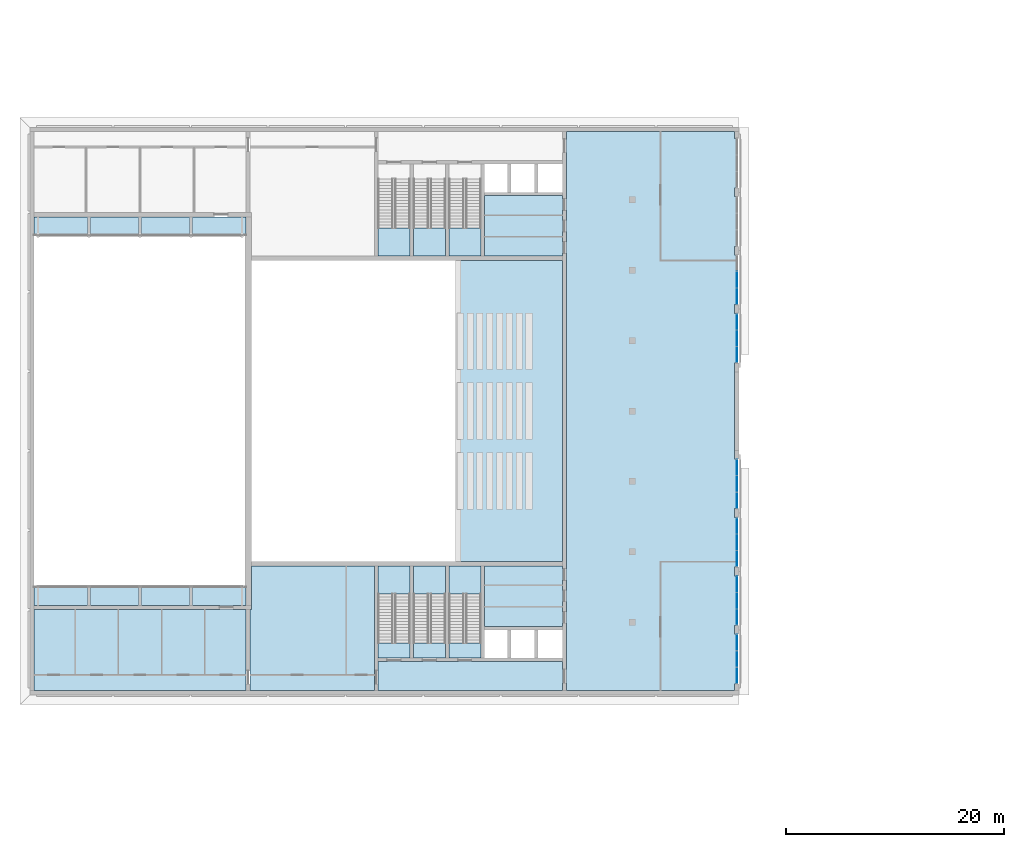
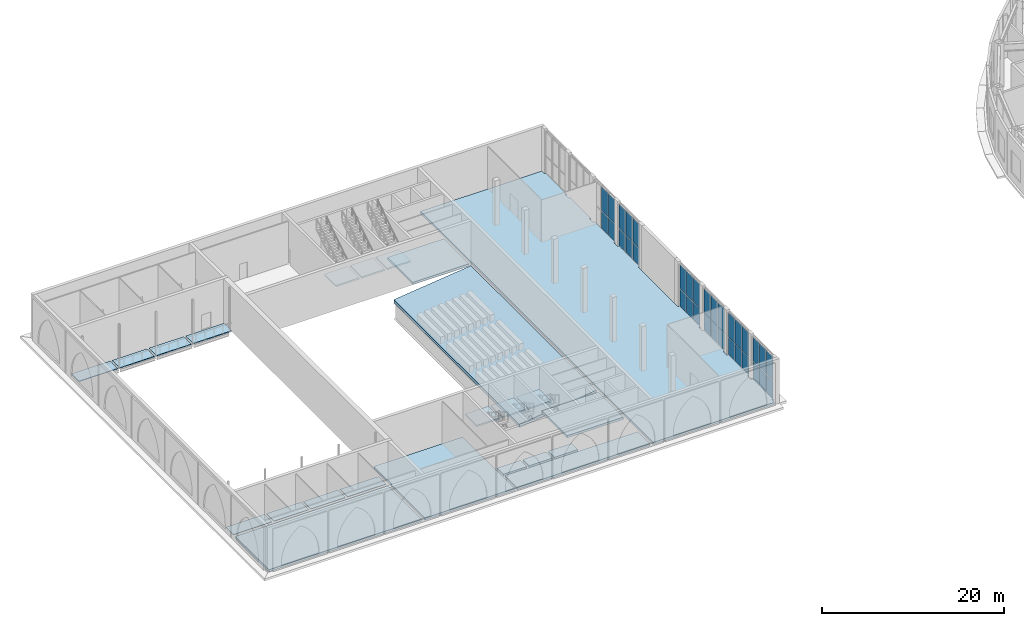
# One storey, part 14 of 74: 34 plates, 24 slabs, 12 elements without a shape of their own.
"""IFC4 building model written with IfcOpenShell, lengths in metres."""

from ifc_helpers import new_model, si_unit, direction, frame, origin, origin_2d, place, context, subcontext, project, spatial, polyline, rectangle, outline, extrude, material, layer, layer_set, type_object, element, aggregate, save


model = new_model("IFC4")

# Units and contexts
model_context = context("Model", 3, precision=1e-05, world=origin(), true_north=direction((0.0, 1.0)))
body_context = subcontext(model_context, "Body", "Model", "MODEL_VIEW")
ifc_project = project(units=[si_unit("LENGTHUNIT", "METRE"), si_unit("AREAUNIT", "SQUARE_METRE"), si_unit("VOLUMEUNIT", "CUBIC_METRE"), si_unit("PLANEANGLEUNIT", "RADIAN"), si_unit("MASSUNIT", "GRAM", prefix="KILO")], contexts=[model_context])

# Site, building, storey
site_placement = place(None, origin())
site = spatial("IfcSite", under=ifc_project, at=site_placement, CompositionType="ELEMENT")
building_placement = place(site_placement, origin())
building = spatial("IfcBuilding", under=site, at=building_placement, Name="Noorbagh Ring Tower", CompositionType="ELEMENT")
storey_placement = place(building_placement, frame((0.0, 0.0, 7.5)))
storey = spatial("IfcBuildingStorey", under=building, at=storey_placement, Name="L01", CompositionType="ELEMENT", Elevation=7.5)

# Curtain wall, plates
ifc_material_1 = material(Name="Aluminium and glass", Category="aluminium")
ifc_layer_1 = layer(ifc_material_1, 0.199951171875)
ifc_layer_set_1 = layer_set([ifc_layer_1], Name="Aluminium and glass")
curtain_wall_type = type_object("IfcCurtainWallType", Name="TH-CW", PredefinedType="NOTDEFINED", material=ifc_layer_set_1)
curtain_wall_1_placement = place(storey_placement, origin())
curtain_wall_1 = element("IfcCurtainWall", 1, at=curtain_wall_1_placement, inside=storey, type_object=curtain_wall_type, Name="Foyer glazing", PredefinedType="NOTDEFINED")
ifc_material_2 = material(Name="Clear laminated glass", Category="glass")
ifc_layer_2 = layer(ifc_material_2, 0.028076171875)
ifc_layer_set_2 = layer_set([ifc_layer_2], Name="Clear laminated glass")
plate_type = type_object("IfcPlateType", Name="TH-CW-PANEL", PredefinedType="CURTAIN_PANEL", material=ifc_layer_set_2)
plate_1_placement = place(storey_placement, frame((-95.199951171875, -19.2265625, 0.06005859375), z_axis=(0.0, 0.0, 1.0), x_axis=(0.0, 1.0, 0.0)))
plate_1 = element("IfcPlate", 2, at=plate_1_placement, type_object=plate_type, Name="CW-T panel 1.1", PredefinedType="CURTAIN_PANEL", context=body_context, shape_type="SweptSolid", body=[
    extrude(rectangle(XDim=1.4267578125, YDim=0.028076171875, at=origin_2d()), origin(), (0.0, 0.0, 1.0), 2.31005859375),
])
plate_2_placement = place(storey_placement, frame((-95.199951171875, -19.2265625, 2.429931640625), z_axis=(0.0, 0.0, 1.0), x_axis=(0.0, 1.0, 0.0)))
plate_2 = element("IfcPlate", 3, at=plate_2_placement, type_object=plate_type, Name="CW-T panel 1.2", PredefinedType="CURTAIN_PANEL", context=body_context, shape_type="SweptSolid", body=[
    extrude(rectangle(XDim=1.4267578125, YDim=0.028076171875, at=origin_2d()), origin(), (0.0, 0.0, 1.0), 3.2099609375),
])
plate_3_placement = place(storey_placement, frame((-95.199951171875, -17.72509765625, 0.06005859375), z_axis=(0.0, 0.0, 1.0), x_axis=(0.0, 1.0, 0.0)))
plate_3 = element("IfcPlate", 4, at=plate_3_placement, type_object=plate_type, Name="CW-T panel 2.1", PredefinedType="CURTAIN_PANEL", context=body_context, shape_type="SweptSolid", body=[
    extrude(rectangle(XDim=1.456787109375, YDim=0.028076171875, at=origin_2d()), origin(), (0.0, 0.0, 1.0), 2.31005859375),
])
plate_4_placement = place(storey_placement, frame((-95.199951171875, -17.72509765625, 2.429931640625), z_axis=(0.0, 0.0, 1.0), x_axis=(0.0, 1.0, 0.0)))
plate_4 = element("IfcPlate", 5, at=plate_4_placement, type_object=plate_type, Name="CW-T panel 2.2", PredefinedType="CURTAIN_PANEL", context=body_context, shape_type="SweptSolid", body=[
    extrude(rectangle(XDim=1.456787109375, YDim=0.028076171875, at=origin_2d()), origin(), (0.0, 0.0, 1.0), 3.2099609375),
])
plate_5_placement = place(storey_placement, frame((-95.199951171875, -16.223388671875, 0.06005859375), z_axis=(0.0, 0.0, 1.0), x_axis=(0.0, 1.0, 0.0)))
plate_5 = element("IfcPlate", 6, at=plate_5_placement, type_object=plate_type, Name="CW-T panel 3.1", PredefinedType="CURTAIN_PANEL", context=body_context, shape_type="SweptSolid", body=[
    extrude(rectangle(XDim=1.4267578125, YDim=0.028076171875, at=origin_2d()), origin(), (0.0, 0.0, 1.0), 2.31005859375),
])
plate_6_placement = place(storey_placement, frame((-95.199951171875, -16.223388671875, 2.429931640625), z_axis=(0.0, 0.0, 1.0), x_axis=(0.0, 1.0, 0.0)))
plate_6 = element("IfcPlate", 7, at=plate_6_placement, type_object=plate_type, Name="CW-T panel 3.2", PredefinedType="CURTAIN_PANEL", context=body_context, shape_type="SweptSolid", body=[
    extrude(rectangle(XDim=1.4267578125, YDim=0.028076171875, at=origin_2d()), origin(), (0.0, 0.0, 1.0), 3.2099609375),
])
aggregate(curtain_wall_1, [plate_1, plate_2, plate_3, plate_4, plate_5, plate_6])

curtain_wall_2_placement = place(storey_placement, origin())
curtain_wall_2 = element("IfcCurtainWall", 8, at=curtain_wall_2_placement, inside=storey, type_object=curtain_wall_type, Name="Foyer glazing", PredefinedType="NOTDEFINED")
plate_7_placement = place(storey_placement, frame((-95.199951171875, -13.876708984375, 0.06005859375), z_axis=(0.0, 0.0, 1.0), x_axis=(0.0, 1.0, 0.0)))
plate_7 = element("IfcPlate", 9, at=plate_7_placement, type_object=plate_type, Name="CW-T panel 1.1", PredefinedType="CURTAIN_PANEL", context=body_context, shape_type="SweptSolid", body=[
    extrude(rectangle(XDim=1.4267578125, YDim=0.028076171875, at=origin_2d()), origin(), (0.0, 0.0, 1.0), 2.31005859375),
])
plate_8_placement = place(storey_placement, frame((-95.199951171875, -13.876708984375, 2.429931640625), z_axis=(0.0, 0.0, 1.0), x_axis=(0.0, 1.0, 0.0)))
plate_8 = element("IfcPlate", 10, at=plate_8_placement, type_object=plate_type, Name="CW-T panel 1.2", PredefinedType="CURTAIN_PANEL", context=body_context, shape_type="SweptSolid", body=[
    extrude(rectangle(XDim=1.4267578125, YDim=0.028076171875, at=origin_2d()), origin(), (0.0, 0.0, 1.0), 3.2099609375),
])
plate_9_placement = place(storey_placement, frame((-95.199951171875, -12.375, 0.06005859375), z_axis=(0.0, 0.0, 1.0), x_axis=(0.0, 1.0, 0.0)))
plate_9 = element("IfcPlate", 11, at=plate_9_placement, type_object=plate_type, Name="CW-T panel 2.1", PredefinedType="CURTAIN_PANEL", context=body_context, shape_type="SweptSolid", body=[
    extrude(rectangle(XDim=1.456787109375, YDim=0.028076171875, at=origin_2d()), origin(), (0.0, 0.0, 1.0), 2.31005859375),
])
plate_10_placement = place(storey_placement, frame((-95.199951171875, -12.375, 2.429931640625), z_axis=(0.0, 0.0, 1.0), x_axis=(0.0, 1.0, 0.0)))
plate_10 = element("IfcPlate", 12, at=plate_10_placement, type_object=plate_type, Name="CW-T panel 2.2", PredefinedType="CURTAIN_PANEL", context=body_context, shape_type="SweptSolid", body=[
    extrude(rectangle(XDim=1.456787109375, YDim=0.028076171875, at=origin_2d()), origin(), (0.0, 0.0, 1.0), 3.2099609375),
])
plate_11_placement = place(storey_placement, frame((-95.199951171875, -10.873291015625, 0.06005859375), z_axis=(0.0, 0.0, 1.0), x_axis=(0.0, 1.0, 0.0)))
plate_11 = element("IfcPlate", 13, at=plate_11_placement, type_object=plate_type, Name="CW-T panel 3.1", PredefinedType="CURTAIN_PANEL", context=body_context, shape_type="SweptSolid", body=[
    extrude(rectangle(XDim=1.4267578125, YDim=0.028076171875, at=origin_2d()), origin(), (0.0, 0.0, 1.0), 2.31005859375),
])
plate_12_placement = place(storey_placement, frame((-95.199951171875, -10.873291015625, 2.429931640625), z_axis=(0.0, 0.0, 1.0), x_axis=(0.0, 1.0, 0.0)))
plate_12 = element("IfcPlate", 14, at=plate_12_placement, type_object=plate_type, Name="CW-T panel 3.2", PredefinedType="CURTAIN_PANEL", context=body_context, shape_type="SweptSolid", body=[
    extrude(rectangle(XDim=1.4267578125, YDim=0.028076171875, at=origin_2d()), origin(), (0.0, 0.0, 1.0), 3.2099609375),
])
aggregate(curtain_wall_2, [plate_7, plate_8, plate_9, plate_10, plate_11, plate_12])

curtain_wall_3_placement = place(storey_placement, origin())
curtain_wall_3 = element("IfcCurtainWall", 15, at=curtain_wall_3_placement, inside=storey, type_object=curtain_wall_type, Name="Foyer glazing", PredefinedType="NOTDEFINED")
plate_13_placement = place(storey_placement, frame((-95.199951171875, -8.526611328125, 0.06005859375), z_axis=(0.0, 0.0, 1.0), x_axis=(0.0, 1.0, 0.0)))
plate_13 = element("IfcPlate", 16, at=plate_13_placement, type_object=plate_type, Name="CW-T panel 1.1", PredefinedType="CURTAIN_PANEL", context=body_context, shape_type="SweptSolid", body=[
    extrude(rectangle(XDim=1.4267578125, YDim=0.028076171875, at=origin_2d()), origin(), (0.0, 0.0, 1.0), 2.31005859375),
])
plate_14_placement = place(storey_placement, frame((-95.199951171875, -8.526611328125, 2.429931640625), z_axis=(0.0, 0.0, 1.0), x_axis=(0.0, 1.0, 0.0)))
plate_14 = element("IfcPlate", 17, at=plate_14_placement, type_object=plate_type, Name="CW-T panel 1.2", PredefinedType="CURTAIN_PANEL", context=body_context, shape_type="SweptSolid", body=[
    extrude(rectangle(XDim=1.4267578125, YDim=0.028076171875, at=origin_2d()), origin(), (0.0, 0.0, 1.0), 3.2099609375),
])
plate_15_placement = place(storey_placement, frame((-95.199951171875, -7.02490234375, 0.06005859375), z_axis=(0.0, 0.0, 1.0), x_axis=(0.0, 1.0, 0.0)))
plate_15 = element("IfcPlate", 18, at=plate_15_placement, type_object=plate_type, Name="CW-T panel 2.1", PredefinedType="CURTAIN_PANEL", context=body_context, shape_type="SweptSolid", body=[
    extrude(rectangle(XDim=1.456787109375, YDim=0.028076171875, at=origin_2d()), origin(), (0.0, 0.0, 1.0), 2.31005859375),
])
plate_16_placement = place(storey_placement, frame((-95.199951171875, -7.02490234375, 2.429931640625), z_axis=(0.0, 0.0, 1.0), x_axis=(0.0, 1.0, 0.0)))
plate_16 = element("IfcPlate", 19, at=plate_16_placement, type_object=plate_type, Name="CW-T panel 2.2", PredefinedType="CURTAIN_PANEL", context=body_context, shape_type="SweptSolid", body=[
    extrude(rectangle(XDim=1.456787109375, YDim=0.028076171875, at=origin_2d()), origin(), (0.0, 0.0, 1.0), 3.2099609375),
])
plate_17_placement = place(storey_placement, frame((-95.199951171875, -5.5234375, 0.06005859375), z_axis=(0.0, 0.0, 1.0), x_axis=(0.0, 1.0, 0.0)))
plate_17 = element("IfcPlate", 20, at=plate_17_placement, type_object=plate_type, Name="CW-T panel 3.1", PredefinedType="CURTAIN_PANEL", context=body_context, shape_type="SweptSolid", body=[
    extrude(rectangle(XDim=1.4267578125, YDim=0.028076171875, at=origin_2d()), origin(), (0.0, 0.0, 1.0), 2.31005859375),
])
plate_18_placement = place(storey_placement, frame((-95.199951171875, -5.5234375, 2.429931640625), z_axis=(0.0, 0.0, 1.0), x_axis=(0.0, 1.0, 0.0)))
plate_18 = element("IfcPlate", 21, at=plate_18_placement, type_object=plate_type, Name="CW-T panel 3.2", PredefinedType="CURTAIN_PANEL", context=body_context, shape_type="SweptSolid", body=[
    extrude(rectangle(XDim=1.4267578125, YDim=0.028076171875, at=origin_2d()), origin(), (0.0, 0.0, 1.0), 3.2099609375),
])
aggregate(curtain_wall_3, [plate_13, plate_14, plate_15, plate_16, plate_17, plate_18])

curtain_wall_4_placement = place(storey_placement, origin())
curtain_wall_4 = element("IfcCurtainWall", 22, at=curtain_wall_4_placement, inside=storey, type_object=curtain_wall_type, Name="Foyer glazing", PredefinedType="NOTDEFINED")
plate_19_placement = place(storey_placement, frame((-95.199951171875, -3.1767578125, 0.06005859375), z_axis=(0.0, 0.0, 1.0), x_axis=(0.0, 1.0, 0.0)))
plate_19 = element("IfcPlate", 23, at=plate_19_placement, type_object=plate_type, Name="CW-T panel 1.1", PredefinedType="CURTAIN_PANEL", context=body_context, shape_type="SweptSolid", body=[
    extrude(rectangle(XDim=1.4267578125, YDim=0.028076171875, at=origin_2d()), origin(), (0.0, 0.0, 1.0), 2.31005859375),
])
plate_20_placement = place(storey_placement, frame((-95.199951171875, -3.1767578125, 2.429931640625), z_axis=(0.0, 0.0, 1.0), x_axis=(0.0, 1.0, 0.0)))
plate_20 = element("IfcPlate", 24, at=plate_20_placement, type_object=plate_type, Name="CW-T panel 1.2", PredefinedType="CURTAIN_PANEL", context=body_context, shape_type="SweptSolid", body=[
    extrude(rectangle(XDim=1.4267578125, YDim=0.028076171875, at=origin_2d()), origin(), (0.0, 0.0, 1.0), 3.2099609375),
])
plate_21_placement = place(storey_placement, frame((-95.199951171875, -1.675048828125, 0.06005859375), z_axis=(0.0, 0.0, 1.0), x_axis=(0.0, 1.0, 0.0)))
plate_21 = element("IfcPlate", 25, at=plate_21_placement, type_object=plate_type, Name="CW-T panel 2.1", PredefinedType="CURTAIN_PANEL", context=body_context, shape_type="SweptSolid", body=[
    extrude(rectangle(XDim=1.456787109375, YDim=0.028076171875, at=origin_2d()), origin(), (0.0, 0.0, 1.0), 2.31005859375),
])
plate_22_placement = place(storey_placement, frame((-95.199951171875, -1.675048828125, 2.429931640625), z_axis=(0.0, 0.0, 1.0), x_axis=(0.0, 1.0, 0.0)))
plate_22 = element("IfcPlate", 26, at=plate_22_placement, type_object=plate_type, Name="CW-T panel 2.2", PredefinedType="CURTAIN_PANEL", context=body_context, shape_type="SweptSolid", body=[
    extrude(rectangle(XDim=1.456787109375, YDim=0.028076171875, at=origin_2d()), origin(), (0.0, 0.0, 1.0), 3.2099609375),
])
plate_23_placement = place(storey_placement, frame((-95.199951171875, -0.17333984375, 0.06005859375), z_axis=(0.0, 0.0, 1.0), x_axis=(0.0, 1.0, 0.0)))
plate_23 = element("IfcPlate", 27, at=plate_23_placement, type_object=plate_type, Name="CW-T panel 3.1", PredefinedType="CURTAIN_PANEL", context=body_context, shape_type="SweptSolid", body=[
    extrude(rectangle(XDim=1.4267578125, YDim=0.028076171875, at=origin_2d()), origin(), (0.0, 0.0, 1.0), 2.31005859375),
])
plate_24_placement = place(storey_placement, frame((-95.199951171875, -0.17333984375, 2.429931640625), z_axis=(0.0, 0.0, 1.0), x_axis=(0.0, 1.0, 0.0)))
plate_24 = element("IfcPlate", 28, at=plate_24_placement, type_object=plate_type, Name="CW-T panel 3.2", PredefinedType="CURTAIN_PANEL", context=body_context, shape_type="SweptSolid", body=[
    extrude(rectangle(XDim=1.4267578125, YDim=0.028076171875, at=origin_2d()), origin(), (0.0, 0.0, 1.0), 3.2099609375),
])
aggregate(curtain_wall_4, [plate_19, plate_20, plate_21, plate_22, plate_23, plate_24])

curtain_wall_5_placement = place(storey_placement, origin())
curtain_wall_5 = element("IfcCurtainWall", 29, at=curtain_wall_5_placement, inside=storey, type_object=curtain_wall_type, Name="Foyer glazing", PredefinedType="NOTDEFINED")
plate_25_placement = place(storey_placement, frame((-95.199951171875, 10.17333984375, 0.06005859375), z_axis=(0.0, 0.0, 1.0), x_axis=(0.0, 1.0, 0.0)))
plate_25 = element("IfcPlate", 30, at=plate_25_placement, type_object=plate_type, Name="CW-T panel 1.1", PredefinedType="CURTAIN_PANEL", context=body_context, shape_type="SweptSolid", body=[
    extrude(rectangle(XDim=1.4267578125, YDim=0.028076171875, at=origin_2d()), origin(), (0.0, 0.0, 1.0), 2.31005859375),
])
plate_26_placement = place(storey_placement, frame((-95.199951171875, 10.17333984375, 2.429931640625), z_axis=(0.0, 0.0, 1.0), x_axis=(0.0, 1.0, 0.0)))
plate_26 = element("IfcPlate", 31, at=plate_26_placement, type_object=plate_type, Name="CW-T panel 1.2", PredefinedType="CURTAIN_PANEL", context=body_context, shape_type="SweptSolid", body=[
    extrude(rectangle(XDim=1.4267578125, YDim=0.028076171875, at=origin_2d()), origin(), (0.0, 0.0, 1.0), 3.2099609375),
])
plate_27_placement = place(storey_placement, frame((-95.199951171875, 11.675048828125, 0.06005859375), z_axis=(0.0, 0.0, 1.0), x_axis=(0.0, 1.0, 0.0)))
plate_27 = element("IfcPlate", 32, at=plate_27_placement, type_object=plate_type, Name="CW-T panel 2.1", PredefinedType="CURTAIN_PANEL", context=body_context, shape_type="SweptSolid", body=[
    extrude(rectangle(XDim=1.456787109375, YDim=0.028076171875, at=origin_2d()), origin(), (0.0, 0.0, 1.0), 2.31005859375),
])
plate_28_placement = place(storey_placement, frame((-95.199951171875, 11.675048828125, 2.429931640625), z_axis=(0.0, 0.0, 1.0), x_axis=(0.0, 1.0, 0.0)))
plate_28 = element("IfcPlate", 33, at=plate_28_placement, type_object=plate_type, Name="CW-T panel 2.2", PredefinedType="CURTAIN_PANEL", context=body_context, shape_type="SweptSolid", body=[
    extrude(rectangle(XDim=1.456787109375, YDim=0.028076171875, at=origin_2d()), origin(), (0.0, 0.0, 1.0), 3.2099609375),
])
plate_29_placement = place(storey_placement, frame((-95.199951171875, 13.1767578125, 0.06005859375), z_axis=(0.0, 0.0, 1.0), x_axis=(0.0, 1.0, 0.0)))
plate_29 = element("IfcPlate", 34, at=plate_29_placement, type_object=plate_type, Name="CW-T panel 3.1", PredefinedType="CURTAIN_PANEL", context=body_context, shape_type="SweptSolid", body=[
    extrude(rectangle(XDim=1.4267578125, YDim=0.028076171875, at=origin_2d()), origin(), (0.0, 0.0, 1.0), 2.31005859375),
])
plate_30_placement = place(storey_placement, frame((-95.199951171875, 13.1767578125, 2.429931640625), z_axis=(0.0, 0.0, 1.0), x_axis=(0.0, 1.0, 0.0)))
plate_30 = element("IfcPlate", 35, at=plate_30_placement, type_object=plate_type, Name="CW-T panel 3.2", PredefinedType="CURTAIN_PANEL", context=body_context, shape_type="SweptSolid", body=[
    extrude(rectangle(XDim=1.4267578125, YDim=0.028076171875, at=origin_2d()), origin(), (0.0, 0.0, 1.0), 3.2099609375),
])
aggregate(curtain_wall_5, [plate_25, plate_26, plate_27, plate_28, plate_29, plate_30])

curtain_wall_6_placement = place(storey_placement, origin())
curtain_wall_6 = element("IfcCurtainWall", 36, at=curtain_wall_6_placement, inside=storey, type_object=curtain_wall_type, Name="Foyer glazing", PredefinedType="NOTDEFINED")
plate_31_placement = place(storey_placement, frame((-95.199951171875, 15.5234375, 0.06005859375), z_axis=(0.0, 0.0, 1.0), x_axis=(0.0, 1.0, 0.0)))
plate_31 = element("IfcPlate", 37, at=plate_31_placement, type_object=plate_type, Name="CW-T panel 1.1", PredefinedType="CURTAIN_PANEL", context=body_context, shape_type="SweptSolid", body=[
    extrude(rectangle(XDim=1.4267578125, YDim=0.028076171875, at=origin_2d()), origin(), (0.0, 0.0, 1.0), 2.31005859375),
])
plate_32_placement = place(storey_placement, frame((-95.199951171875, 15.5234375, 2.429931640625), z_axis=(0.0, 0.0, 1.0), x_axis=(0.0, 1.0, 0.0)))
plate_32 = element("IfcPlate", 38, at=plate_32_placement, type_object=plate_type, Name="CW-T panel 1.2", PredefinedType="CURTAIN_PANEL", context=body_context, shape_type="SweptSolid", body=[
    extrude(rectangle(XDim=1.4267578125, YDim=0.028076171875, at=origin_2d()), origin(), (0.0, 0.0, 1.0), 3.2099609375),
])
plate_33_placement = place(storey_placement, frame((-95.199951171875, 17.02490234375, 0.06005859375), z_axis=(0.0, 0.0, 1.0), x_axis=(0.0, 1.0, 0.0)))
plate_33 = element("IfcPlate", 39, at=plate_33_placement, type_object=plate_type, Name="CW-T panel 2.1", PredefinedType="CURTAIN_PANEL", context=body_context, shape_type="SweptSolid", body=[
    extrude(rectangle(XDim=1.456787109375, YDim=0.028076171875, at=origin_2d()), origin(), (0.0, 0.0, 1.0), 2.31005859375),
])
plate_34_placement = place(storey_placement, frame((-95.199951171875, 17.02490234375, 2.429931640625), z_axis=(0.0, 0.0, 1.0), x_axis=(0.0, 1.0, 0.0)))
plate_34 = element("IfcPlate", 40, at=plate_34_placement, type_object=plate_type, Name="CW-T panel 2.2", PredefinedType="CURTAIN_PANEL", context=body_context, shape_type="SweptSolid", body=[
    extrude(rectangle(XDim=1.456787109375, YDim=0.028076171875, at=origin_2d()), origin(), (0.0, 0.0, 1.0), 3.2099609375),
])
aggregate(curtain_wall_6, [plate_31, plate_32, plate_33, plate_34])

# Slabs
ifc_material_3 = material(Name="Concrete C40/50", Category="concrete")
ifc_layer_3 = layer(ifc_material_3, 0.300048828125)
ifc_layer_set_3 = layer_set([ifc_layer_3], Name="Concrete C40/50")
slab_type_1 = type_object("IfcSlabType", Name="TH-SLAB-FLOOR", PredefinedType="FLOOR", material=ifc_layer_set_3)
slab_1_placement = place(storey_placement, frame((0.0, 0.0, -0.300048828125)))
element("IfcSlab", 41, at=slab_1_placement, inside=storey, type_object=slab_type_1, Name="Floor slab", PredefinedType="FLOOR", context=body_context, shape_type="SweptSolid", body=[
    extrude(outline(polyline([(-140.199951171875, -20.60009765625), (-140.199951171875, -13.199951171875), (-159.60009765625, -13.199951171875), (-159.60009765625, -20.60009765625), (-140.199951171875, -20.60009765625)])), origin(), (0.0, 0.0, 1.0), 0.300048828125),
])
slab_2_placement = place(storey_placement, frame((0.0, 0.0, -0.300048828125)))
element("IfcSlab", 42, at=slab_2_placement, inside=storey, type_object=slab_type_1, Name="Floor slab", PredefinedType="FLOOR", context=body_context, shape_type="SweptSolid", body=[
    extrude(outline(polyline([(-128.39990234375, -20.60009765625), (-128.39990234375, -9.199951171875), (-139.699951171875, -9.199951171875), (-139.699951171875, -12.800048828125), (-139.699951171875, -13.199951171875), (-139.800048828125, -13.199951171875), (-139.800048828125, -20.60009765625), (-128.39990234375, -20.60009765625)])), origin(), (0.0, 0.0, 1.0), 0.300048828125),
])
slab_3_placement = place(storey_placement, frame((0.0, 0.0, -0.300048828125)))
element("IfcSlab", 43, at=slab_3_placement, inside=storey, type_object=slab_type_1, Name="Floor slab", PredefinedType="FLOOR", context=body_context, shape_type="SweptSolid", body=[
    extrude(outline(polyline([(-125.14990234375, -17.64990234375), (-125.14990234375, -16.24951171875), (-128.10009765625, -16.24951171875), (-128.10009765625, -17.64990234375), (-125.14990234375, -17.64990234375)])), origin(), (0.0, 0.0, 1.0), 0.300048828125),
])
slab_4_placement = place(storey_placement, frame((0.0, 0.0, -0.300048828125)))
element("IfcSlab", 44, at=slab_4_placement, inside=storey, type_object=slab_type_1, Name="Floor slab", PredefinedType="FLOOR", context=body_context, shape_type="SweptSolid", body=[
    extrude(outline(polyline([(-121.89990234375, -17.64990234375), (-121.89990234375, -16.24951171875), (-124.85009765625, -16.24951171875), (-124.85009765625, -17.64990234375), (-121.89990234375, -17.64990234375)])), origin(), (0.0, 0.0, 1.0), 0.300048828125),
])
slab_5_placement = place(storey_placement, frame((0.0, 0.0, -0.300048828125)))
element("IfcSlab", 45, at=slab_5_placement, inside=storey, type_object=slab_type_1, Name="Floor slab", PredefinedType="FLOOR", context=body_context, shape_type="SweptSolid", body=[
    extrude(outline(polyline([(-118.64990234375, -16.24951171875), (-121.60009765625, -16.24951171875), (-121.60009765625, -17.64990234375), (-118.64990234375, -17.64990234375), (-118.64990234375, -16.24951171875)])), origin(), (0.0, 0.0, 1.0), 0.300048828125),
])
slab_6_placement = place(storey_placement, frame((0.0, 0.0, -0.300048828125)))
element("IfcSlab", 46, at=slab_6_placement, inside=storey, type_object=slab_type_1, Name="Floor slab", PredefinedType="FLOOR", context=body_context, shape_type="SweptSolid", body=[
    extrude(outline(polyline([(-111.199951171875, -20.60009765625), (-111.199951171875, -17.949951171875), (-128.10009765625, -17.949951171875), (-128.10009765625, -20.60009765625), (-111.199951171875, -20.60009765625)])), origin(), (0.0, 0.0, 1.0), 0.300048828125),
])
slab_7_placement = place(storey_placement, frame((0.0, 0.0, -0.300048828125)))
element("IfcSlab", 47, at=slab_7_placement, inside=storey, type_object=slab_type_1, Name="Floor slab", PredefinedType="FLOOR", context=body_context, shape_type="SweptSolid", body=[
    extrude(outline(polyline([(-111.199951171875, -14.75), (-111.199951171875, -9.199951171875), (-118.35009765625, -9.199951171875), (-118.35009765625, -14.75), (-111.199951171875, -14.75)])), origin(), (0.0, 0.0, 1.0), 0.300048828125),
])
slab_8_placement = place(storey_placement, frame((0.0, 0.0, -0.300048828125)))
element("IfcSlab", 48, at=slab_8_placement, inside=storey, type_object=slab_type_1, Name="Floor slab", PredefinedType="FLOOR", context=body_context, shape_type="SweptSolid", body=[
    extrude(outline(polyline([(-118.35009765625, 24.75), (-118.35009765625, 19.199951171875), (-111.199951171875, 19.199951171875), (-111.199951171875, 24.75), (-118.35009765625, 24.75)])), origin(), (0.0, 0.0, 1.0), 0.300048828125),
])
slab_9_placement = place(storey_placement, frame((0.0, 0.0, -0.300048828125)))
element("IfcSlab", 49, at=slab_9_placement, inside=storey, type_object=slab_type_1, Name="Floor slab", PredefinedType="FLOOR", context=body_context, shape_type="SweptSolid", body=[
    extrude(outline(polyline([(-95.39990234375, 20.10009765625), (-95.199951171875, 20.10009765625), (-95.199951171875, 24.64990234375), (-95.39990234375, 24.64990234375), (-95.39990234375, 25.449951171875), (-95.199951171875, 25.449951171875), (-95.199951171875, 30.0), (-95.39990234375, 30.0), (-95.39990234375, 30.60009765625), (-110.800048828125, 30.60009765625), (-110.800048828125, -20.60009765625), (-95.39990234375, -20.60009765625), (-95.39990234375, -20.0), (-95.199951171875, -20.0), (-95.199951171875, -15.449951171875), (-95.39990234375, -15.449951171875), (-95.39990234375, -14.64990234375), (-95.199951171875, -14.64990234375), (-95.199951171875, -10.10009765625), (-95.39990234375, -10.10009765625), (-95.39990234375, -9.300048828125), (-95.199951171875, -9.300048828125), (-95.199951171875, -4.75), (-95.39990234375, -4.75), (-95.39990234375, -3.949951171875), (-95.199951171875, -3.949951171875), (-95.199951171875, 0.60009765625), (-95.39990234375, 0.60009765625), (-95.39990234375, 1.39990234375), (-95.39990234375, 8.60009765625), (-95.39990234375, 9.39990234375), (-95.199951171875, 9.39990234375), (-95.199951171875, 13.949951171875), (-95.39990234375, 13.949951171875), (-95.39990234375, 14.75), (-95.199951171875, 14.75), (-95.199951171875, 19.300048828125), (-95.39990234375, 19.300048828125), (-95.39990234375, 20.10009765625)])), origin(), (0.0, 0.0, 1.0), 0.300048828125),
])
ifc_material_4 = material(Name="Galvanised steel grating S355", Category="steel")
ifc_layer_4 = layer(ifc_material_4, 0.080078125)
ifc_layer_set_4 = layer_set([ifc_layer_4], Name="Galvanised steel grating S355")
slab_type_2 = type_object("IfcSlabType", Name="TH-SLAB-GALLERY", PredefinedType="FLOOR", material=ifc_layer_set_4)
slab_10_placement = place(storey_placement, frame((0.0, 0.0, -0.080078125)))
element("IfcSlab", 50, at=slab_10_placement, inside=storey, type_object=slab_type_2, Name="Fly gallery plate S1", PredefinedType="FLOOR", context=body_context, shape_type="SweptSolid", body=[
    extrude(outline(polyline([(-159.60009765625, -12.800048828125), (-154.695068359375, -12.800048828125), (-154.695068359375, -11.139892578125), (-159.60009765625, -11.139892578125), (-159.60009765625, -12.800048828125)])), origin(), (0.0, 0.0, 1.0), 0.080078125),
])
slab_11_placement = place(storey_placement, frame((0.0, 0.0, -0.080078125)))
element("IfcSlab", 51, at=slab_11_placement, inside=storey, type_object=slab_type_2, Name="Fly gallery plate S2", PredefinedType="FLOOR", context=body_context, shape_type="SweptSolid", body=[
    extrude(outline(polyline([(-154.455078125, -12.800048828125), (-150.02001953125, -12.800048828125), (-150.02001953125, -11.139892578125), (-154.455078125, -11.139892578125), (-154.455078125, -12.800048828125)])), origin(), (0.0, 0.0, 1.0), 0.080078125),
])
slab_12_placement = place(storey_placement, frame((0.0, 0.0, -0.080078125)))
element("IfcSlab", 52, at=slab_12_placement, inside=storey, type_object=slab_type_2, Name="Fly gallery plate S3", PredefinedType="FLOOR", context=body_context, shape_type="SweptSolid", body=[
    extrude(outline(polyline([(-149.780029296875, -12.800048828125), (-145.344970703125, -12.800048828125), (-145.344970703125, -11.139892578125), (-149.780029296875, -11.139892578125), (-149.780029296875, -12.800048828125)])), origin(), (0.0, 0.0, 1.0), 0.080078125),
])
slab_13_placement = place(storey_placement, frame((0.0, 0.0, -0.080078125)))
element("IfcSlab", 53, at=slab_13_placement, inside=storey, type_object=slab_type_2, Name="Fly gallery plate S4", PredefinedType="FLOOR", context=body_context, shape_type="SweptSolid", body=[
    extrude(outline(polyline([(-145.10498046875, -12.800048828125), (-140.199951171875, -12.800048828125), (-140.199951171875, -11.139892578125), (-145.10498046875, -11.139892578125), (-145.10498046875, -12.800048828125)])), origin(), (0.0, 0.0, 1.0), 0.080078125),
])
slab_14_placement = place(storey_placement, frame((0.0, 0.0, -0.080078125)))
element("IfcSlab", 54, at=slab_14_placement, inside=storey, type_object=slab_type_2, Name="Fly gallery plate N1", PredefinedType="FLOOR", context=body_context, shape_type="SweptSolid", body=[
    extrude(outline(polyline([(-159.60009765625, 21.139892578125), (-154.695068359375, 21.139892578125), (-154.695068359375, 22.800048828125), (-159.60009765625, 22.800048828125), (-159.60009765625, 21.139892578125)])), origin(), (0.0, 0.0, 1.0), 0.080078125),
])
slab_15_placement = place(storey_placement, frame((0.0, 0.0, -0.080078125)))
element("IfcSlab", 55, at=slab_15_placement, inside=storey, type_object=slab_type_2, Name="Fly gallery plate N2", PredefinedType="FLOOR", context=body_context, shape_type="SweptSolid", body=[
    extrude(outline(polyline([(-154.455078125, 21.139892578125), (-150.02001953125, 21.139892578125), (-150.02001953125, 22.800048828125), (-154.455078125, 22.800048828125), (-154.455078125, 21.139892578125)])), origin(), (0.0, 0.0, 1.0), 0.080078125),
])
slab_16_placement = place(storey_placement, frame((0.0, 0.0, -0.080078125)))
element("IfcSlab", 56, at=slab_16_placement, inside=storey, type_object=slab_type_2, Name="Fly gallery plate N3", PredefinedType="FLOOR", context=body_context, shape_type="SweptSolid", body=[
    extrude(outline(polyline([(-149.780029296875, 21.139892578125), (-145.344970703125, 21.139892578125), (-145.344970703125, 22.800048828125), (-149.780029296875, 22.800048828125), (-149.780029296875, 21.139892578125)])), origin(), (0.0, 0.0, 1.0), 0.080078125),
])
slab_17_placement = place(storey_placement, frame((0.0, 0.0, -0.080078125)))
element("IfcSlab", 57, at=slab_17_placement, inside=storey, type_object=slab_type_2, Name="Fly gallery plate N4", PredefinedType="FLOOR", context=body_context, shape_type="SweptSolid", body=[
    extrude(outline(polyline([(-145.10498046875, 21.139892578125), (-140.199951171875, 21.139892578125), (-140.199951171875, 22.800048828125), (-145.10498046875, 22.800048828125), (-145.10498046875, 21.139892578125)])), origin(), (0.0, 0.0, 1.0), 0.080078125),
])
ifc_material_5 = material(Name="Concrete C50/60", Category="concrete")
ifc_layer_5 = layer(ifc_material_5, 0.449951171875)
ifc_layer_set_5 = layer_set([ifc_layer_5], Name="Concrete C50/60")
slab_type_3 = type_object("IfcSlabType", Name="TH-SLAB-STAGE", PredefinedType="FLOOR", material=ifc_layer_set_5)
slab_18_placement = place(storey_placement, frame((-121.0, -8.800048828125, -1.143310546875), z_axis=(-0.115877851483, 0.0, 0.993263471359), x_axis=(0.993263471359, 0.0, 0.115877851483)))
element("IfcSlab", 58, at=slab_18_placement, inside=storey, type_object=slab_type_3, Name="Circle raked slab", PredefinedType="FLOOR", context=body_context, shape_type="SweptSolid", body=[
    extrude(outline(polyline([(0.0, 0.0), (9.86651488825866, 0.0), (9.86651488825866, 27.600097656249996), (0.0, 27.600097656249996), (0.0, 0.0)])), origin(), (0.0, 0.0, -1.0), 0.449951171875),
])

# Stair, slab
ifc_material_6 = material(Name="Concrete C40/50", Category="concrete")
stair_type = type_object("IfcStairType", Name="TH-STAIR", PredefinedType="HALF_TURN_STAIR", material=ifc_material_6)
stair_1_placement = place(storey_placement, origin())
stair_1 = element("IfcStair", 59, at=stair_1_placement, inside=storey, type_object=stair_type, Name="L01 Exit stair S1", PredefinedType="HALF_TURN_STAIR")
ifc_material_7 = material(Name="Concrete C40/50", Category="concrete")
ifc_layer_6 = layer(ifc_material_7, 0.199951171875)
ifc_layer_set_6 = layer_set([ifc_layer_6], Name="Concrete C40/50")
slab_type_4 = type_object("IfcSlabType", Name="TH-STAIR-LANDING", PredefinedType="LANDING", material=ifc_layer_set_6)
slab_19_placement = place(storey_placement, frame((0.0, 0.0, 2.800048828125)))
slab_19 = element("IfcSlab", 60, at=slab_19_placement, type_object=slab_type_4, Name="TSS1 landing 1", PredefinedType="LANDING", context=body_context, shape_type="SweptSolid", body=[
    extrude(outline(polyline([(-121.89990234375, -11.77001953125), (-121.89990234375, -9.199951171875), (-124.85009765625, -9.199951171875), (-124.85009765625, -11.77001953125), (-121.89990234375, -11.77001953125)])), origin(), (0.0, 0.0, 1.0), 0.199951171875),
])
aggregate(stair_1, [slab_19])

stair_2_placement = place(storey_placement, origin())
stair_2 = element("IfcStair", 61, at=stair_2_placement, inside=storey, type_object=stair_type, Name="L01 Exit stair S2", PredefinedType="HALF_TURN_STAIR")
slab_20_placement = place(storey_placement, frame((0.0, 0.0, 2.800048828125)))
slab_20 = element("IfcSlab", 62, at=slab_20_placement, type_object=slab_type_4, Name="TSS2 landing 1", PredefinedType="LANDING", context=body_context, shape_type="SweptSolid", body=[
    extrude(outline(polyline([(-118.64990234375, -11.77001953125), (-118.64990234375, -9.199951171875), (-121.60009765625, -9.199951171875), (-121.60009765625, -11.77001953125), (-118.64990234375, -11.77001953125)])), origin(), (0.0, 0.0, 1.0), 0.199951171875),
])
aggregate(stair_2, [slab_20])

stair_3_placement = place(storey_placement, origin())
stair_3 = element("IfcStair", 63, at=stair_3_placement, inside=storey, type_object=stair_type, Name="L01 Exit stair S3", PredefinedType="HALF_TURN_STAIR")
slab_21_placement = place(storey_placement, frame((0.0, 0.0, 2.800048828125)))
slab_21 = element("IfcSlab", 64, at=slab_21_placement, type_object=slab_type_4, Name="TSS3 landing 1", PredefinedType="LANDING", context=body_context, shape_type="SweptSolid", body=[
    extrude(outline(polyline([(-125.14990234375, -11.77001953125), (-125.14990234375, -9.199951171875), (-128.10009765625, -9.199951171875), (-128.10009765625, -11.77001953125), (-125.14990234375, -11.77001953125)])), origin(), (0.0, 0.0, 1.0), 0.199951171875),
])
aggregate(stair_3, [slab_21])

stair_4_placement = place(storey_placement, origin())
stair_4 = element("IfcStair", 65, at=stair_4_placement, inside=storey, type_object=stair_type, Name="L01 Exit stair N1", PredefinedType="HALF_TURN_STAIR")
slab_22_placement = place(storey_placement, frame((0.0, 0.0, 2.800048828125)))
slab_22 = element("IfcSlab", 66, at=slab_22_placement, type_object=slab_type_4, Name="TSN1 landing 1", PredefinedType="LANDING", context=body_context, shape_type="SweptSolid", body=[
    extrude(outline(polyline([(-124.85009765625, 21.77001953125), (-124.85009765625, 19.199951171875), (-121.89990234375, 19.199951171875), (-121.89990234375, 21.77001953125), (-124.85009765625, 21.77001953125)])), origin(), (0.0, 0.0, 1.0), 0.199951171875),
])
aggregate(stair_4, [slab_22])

stair_5_placement = place(storey_placement, origin())
stair_5 = element("IfcStair", 67, at=stair_5_placement, inside=storey, type_object=stair_type, Name="L01 Exit stair N2", PredefinedType="HALF_TURN_STAIR")
slab_23_placement = place(storey_placement, frame((0.0, 0.0, 2.800048828125)))
slab_23 = element("IfcSlab", 68, at=slab_23_placement, type_object=slab_type_4, Name="TSN2 landing 1", PredefinedType="LANDING", context=body_context, shape_type="SweptSolid", body=[
    extrude(outline(polyline([(-121.60009765625, 21.77001953125), (-121.60009765625, 19.199951171875), (-118.64990234375, 19.199951171875), (-118.64990234375, 21.77001953125), (-121.60009765625, 21.77001953125)])), origin(), (0.0, 0.0, 1.0), 0.199951171875),
])
aggregate(stair_5, [slab_23])

stair_6_placement = place(storey_placement, origin())
stair_6 = element("IfcStair", 69, at=stair_6_placement, inside=storey, type_object=stair_type, Name="L01 Exit stair N3", PredefinedType="HALF_TURN_STAIR")
slab_24_placement = place(storey_placement, frame((0.0, 0.0, 2.800048828125)))
slab_24 = element("IfcSlab", 70, at=slab_24_placement, type_object=slab_type_4, Name="TSN3 landing 1", PredefinedType="LANDING", context=body_context, shape_type="SweptSolid", body=[
    extrude(outline(polyline([(-128.10009765625, 21.77001953125), (-128.10009765625, 19.199951171875), (-125.14990234375, 19.199951171875), (-125.14990234375, 21.77001953125), (-128.10009765625, 21.77001953125)])), origin(), (0.0, 0.0, 1.0), 0.199951171875),
])
aggregate(stair_6, [slab_24])

save(model, "model.ifc")
